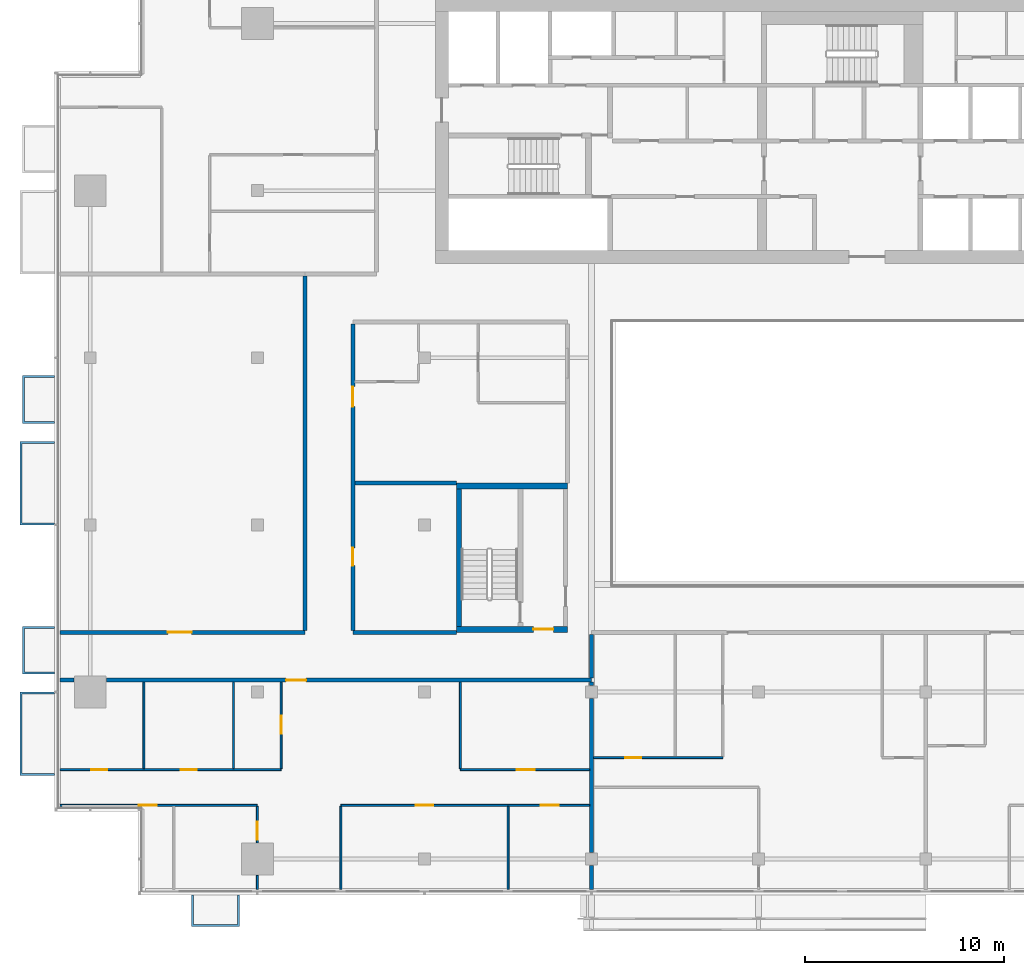
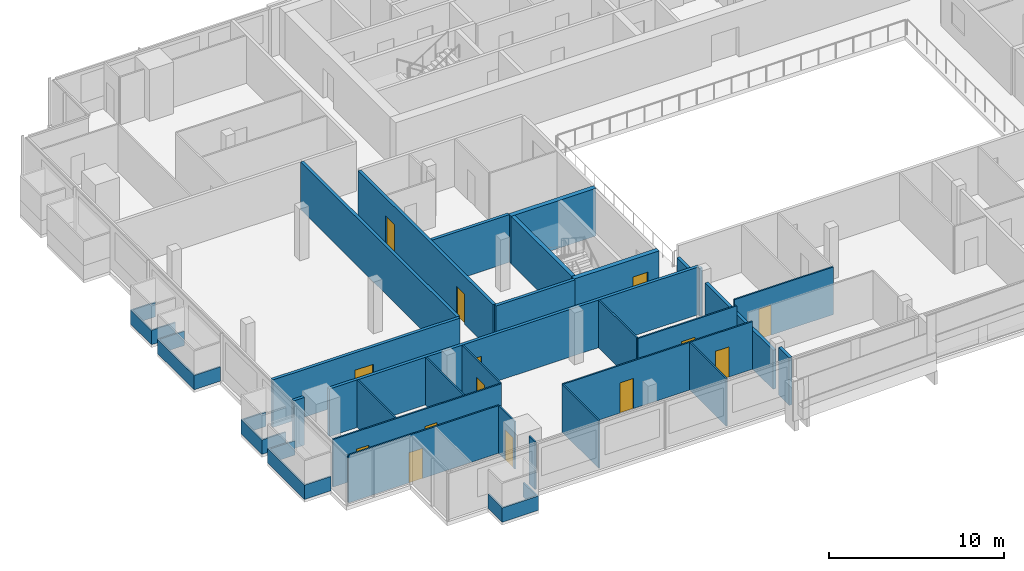
# One storey, part 18 of 27: 32 walls, 14 doors, 14 openings.
"""IFC4 building model written with IfcOpenShell, lengths in metres."""

from ifc_helpers import new_model, si_unit, direction, frame, frame_2d, origin, place, context, subcontext, project, spatial, polyline, rectangle, outline, extrude, material, layer, layer_set, type_object, element, fill, save


model = new_model("IFC4")

# Units and contexts
model_context = context("Model", 3, precision=1e-05, world=origin(), true_north=direction((0.0, 1.0)))
body_context = subcontext(model_context, "Body", "Model", "MODEL_VIEW")
ifc_project = project(units=[si_unit("LENGTHUNIT", "METRE"), si_unit("AREAUNIT", "SQUARE_METRE"), si_unit("VOLUMEUNIT", "CUBIC_METRE"), si_unit("PLANEANGLEUNIT", "RADIAN"), si_unit("MASSUNIT", "GRAM", prefix="KILO")], contexts=[model_context])

# Site, building, storey
site_placement = place(None, origin())
site = spatial("IfcSite", under=ifc_project, at=site_placement, CompositionType="ELEMENT")
building_placement = place(site_placement, origin())
building = spatial("IfcBuilding", under=site, at=building_placement, Name="Saffron Gate Tower", CompositionType="ELEMENT")
storey_placement = place(building_placement, frame((0.0, 0.0, 209.10009765625)))
storey = spatial("IfcBuildingStorey", under=building, at=storey_placement, Name="L50", CompositionType="ELEMENT", Elevation=209.10009765625)

# Wall
ifc_material_1 = material(Name="Concrete C60", Category="concrete")
ifc_layer_1 = layer(ifc_material_1, 0.25)
ifc_layer_set_1 = layer_set([ifc_layer_1], Name="CW14 RC core wall 250 C60")
wall_type_1 = type_object("IfcWallType", Name="CW14 RC core wall 250 C60", PredefinedType="SOLIDWALL", material=ifc_layer_set_1)
wall_1_placement = place(storey_placement, frame((68.324951171875, 43.5, 0.0), z_axis=(0.0, 0.0, 1.0), x_axis=(0.0, 1.0, 0.0)))
element("IfcWall", 1, at=wall_1_placement, inside=storey, type_object=wall_type_1, Name="Wall CW14-L50-D-2", PredefinedType="SOLIDWALL", context=body_context, shape_type="SweptSolid", body=[
    extrude(rectangle(XDim=6.89990234375, YDim=0.25, at=frame_2d((3.449951171875, 0.0))), origin(), (0.0, 0.0, 1.0), 3.31982421875),
])

# Wall, opening, door
ifc_layer_2 = layer(ifc_material_1, 0.300048828125)
ifc_layer_set_2 = layer_set([ifc_layer_2], Name="CW17 RC core wall 300 C60")
wall_type_2 = type_object("IfcWallType", Name="CW17 RC core wall 300 C60", PredefinedType="SOLIDWALL", material=ifc_layer_set_2)
wall_2_placement = place(storey_placement, frame((68.199951171875, 43.35009765625, 0.0), z_axis=(0.0, 0.0, 1.0), x_axis=(1.0, 0.0, 0.0)))
wall_2 = element("IfcWall", 2, at=wall_2_placement, inside=storey, type_object=wall_type_2, Name="Wall CW17-L50-D-1", PredefinedType="SOLIDWALL", context=body_context, shape_type="SweptSolid", body=[
    extrude(rectangle(XDim=5.60009765625, YDim=0.300048828125, at=frame_2d((2.800048828125, 0.0))), origin(), (0.0, 0.0, 1.0), 3.31982421875),
])
opening_1_placement = place(wall_2_placement, frame((3.875, 0.0, 0.0)))
opening_1 = element("IfcOpeningElement", 3, at=opening_1_placement, cuts=wall_2, Name="Opening CR-18", PredefinedType="OPENING", context=body_context, shape_type="SweptSolid", body=[
    extrude(rectangle(XDim=1.0, YDim=2.10009765625, at=frame_2d((0.5, 1.050048828125))), frame((0.0, 0.16015625, 0.0), z_axis=(0.0, -1.0, 0.0), x_axis=(1.0, 0.0, 0.0)), (0.0, 0.0, 1.0), 0.320068359375),
])
ifc_material_2 = material(Name="Steel fire door set", Category="steel")
door_type_1 = type_object("IfcDoorType", Name="CD4 Lobby door 1000x2100 EI 120", OperationType="NOTDEFINED", PredefinedType="DOOR", material=ifc_material_2)
door_1_placement = place(opening_1_placement, origin())
door_1 = element("IfcDoor", 4, at=door_1_placement, inside=storey, type_object=door_type_1, Name="DOOR CR-18", OperationType="SINGLE_SWING_RIGHT", OverallHeight=2.10009765625, OverallWidth=1.0, PredefinedType="DOOR", context=body_context, shape_type="SweptSolid", body=[
    extrude(rectangle(XDim=1.0, YDim=2.10009765625, at=frame_2d((0.5, 1.050048828125))), frame((0.0, 0.02490234375, 0.0), z_axis=(0.0, -1.0, 0.0), x_axis=(1.0, 0.0, 0.0)), (0.0, 0.0, 1.0), 0.050048828125),
])
fill(opening_1, door_1)

# Wall
wall_3_placement = place(storey_placement, frame((68.199951171875, 50.550048828125, 0.0), z_axis=(0.0, 0.0, 1.0), x_axis=(1.0, 0.0, 0.0)))
element("IfcWall", 5, at=wall_3_placement, inside=storey, type_object=wall_type_2, Name="Wall CW17-L50-D-5", PredefinedType="SOLIDWALL", context=body_context, shape_type="SweptSolid", body=[
    extrude(rectangle(XDim=5.60009765625, YDim=0.300048828125, at=frame_2d((2.800048828125, 0.0))), origin(), (0.0, 0.0, 1.0), 3.31982421875),
])

# Wall, opening, door
ifc_material_3 = material(Name="Plasterboard on steel studs", Category="steel")
ifc_layer_3 = layer(ifc_material_3, 0.10009765625)
ifc_layer_set_3 = layer_set([ifc_layer_3], Name="PW1 Partition 100")
wall_type_3 = type_object("IfcWallType", Name="PW1 Partition 100", PredefinedType="PARTITIONING", material=ifc_layer_set_3)
wall_4_placement = place(storey_placement, frame((58.199951171875, 34.5, 0.0), z_axis=(0.0, 0.0, 1.0), x_axis=(-1.0, 0.0, 0.0)))
wall_4 = element("IfcWall", 6, at=wall_4_placement, inside=storey, type_object=wall_type_3, Name="Partition D1-1", PredefinedType="PARTITIONING", context=body_context, shape_type="SweptSolid", body=[
    extrude(rectangle(XDim=9.919921875, YDim=0.10009765625, at=frame_2d((4.9599609375, 0.0))), origin(), (0.0, 0.0, 1.0), 3.31982421875),
])
opening_2_placement = place(wall_4_placement, frame((5.0537109375, 0.0, 0.0)))
opening_2 = element("IfcOpeningElement", 7, at=opening_2_placement, cuts=wall_4, Name="Opening D1-9", PredefinedType="OPENING", context=body_context, shape_type="SweptSolid", body=[
    extrude(rectangle(XDim=0.89990234375, YDim=2.10009765625, at=frame_2d((0.449951171875, 1.050048828125))), frame((0.0, 0.06005859375, 0.0), z_axis=(0.0, -1.0, 0.0), x_axis=(1.0, 0.0, 0.0)), (0.0, 0.0, 1.0), 0.1201171875),
])
ifc_material_4 = material(Name="Timber door set", Category="wood")
door_type_2 = type_object("IfcDoorType", Name="RD1 Room door 900x2100", OperationType="NOTDEFINED", PredefinedType="DOOR", material=ifc_material_4)
door_2_placement = place(opening_2_placement, origin())
door_2 = element("IfcDoor", 8, at=door_2_placement, inside=storey, type_object=door_type_2, Name="Door D1-9", OperationType="SINGLE_SWING_LEFT", OverallHeight=2.10009765625, OverallWidth=0.89990234375, PredefinedType="DOOR", context=body_context, shape_type="SweptSolid", body=[
    extrude(rectangle(XDim=0.89990234375, YDim=2.10009765625, at=frame_2d((0.449951171875, 1.050048828125))), frame((0.0, 0.02490234375, 0.0), z_axis=(0.0, -1.0, 0.0), x_axis=(1.0, 0.0, 0.0)), (0.0, 0.0, 1.0), 0.050048828125),
])
fill(opening_2, door_2)

# Wall, openings, doors
wall_5_placement = place(storey_placement, frame((74.89990234375, 34.5, 0.0), z_axis=(0.0, 0.0, 1.0), x_axis=(-1.0, 0.0, 0.0)))
wall_5 = element("IfcWall", 9, at=wall_5_placement, inside=storey, type_object=wall_type_3, Name="Partition D1-2", PredefinedType="PARTITIONING", context=body_context, shape_type="SweptSolid", body=[
    extrude(rectangle(XDim=12.5, YDim=0.10009765625, at=frame_2d((6.25, 0.0))), origin(), (0.0, 0.0, 1.0), 3.31982421875),
])
opening_3_placement = place(wall_5_placement, frame((1.550048828125, 0.0, 0.0)))
opening_3 = element("IfcOpeningElement", 10, at=opening_3_placement, cuts=wall_5, Name="Opening D1-12", PredefinedType="OPENING", context=body_context, shape_type="SweptSolid", body=[
    extrude(rectangle(XDim=0.89990234375, YDim=2.10009765625, at=frame_2d((0.449951171875, 1.050048828125))), frame((0.0, 0.06005859375, 0.0), z_axis=(0.0, -1.0, 0.0), x_axis=(1.0, 0.0, 0.0)), (0.0, 0.0, 1.0), 0.1201171875),
])
opening_4_placement = place(wall_5_placement, frame((7.85009765625, 0.0, 0.0)))
opening_4 = element("IfcOpeningElement", 11, at=opening_4_placement, cuts=wall_5, Name="Opening D1-11", PredefinedType="OPENING", context=body_context, shape_type="SweptSolid", body=[
    extrude(rectangle(XDim=0.89990234375, YDim=2.10009765625, at=frame_2d((0.449951171875, 1.050048828125))), frame((0.0, 0.06005859375, 0.0), z_axis=(0.0, -1.0, 0.0), x_axis=(1.0, 0.0, 0.0)), (0.0, 0.0, 1.0), 0.1201171875),
])
door_3_placement = place(opening_3_placement, origin())
door_3 = element("IfcDoor", 12, at=door_3_placement, inside=storey, type_object=door_type_2, Name="Door D1-12", OperationType="SINGLE_SWING_LEFT", OverallHeight=2.10009765625, OverallWidth=0.89990234375, PredefinedType="DOOR", context=body_context, shape_type="SweptSolid", body=[
    extrude(rectangle(XDim=0.89990234375, YDim=2.10009765625, at=frame_2d((0.449951171875, 1.050048828125))), frame((0.0, 0.02490234375, 0.0), z_axis=(0.0, -1.0, 0.0), x_axis=(1.0, 0.0, 0.0)), (0.0, 0.0, 1.0), 0.050048828125),
])
fill(opening_3, door_3)
door_4_placement = place(opening_4_placement, origin())
door_4 = element("IfcDoor", 13, at=door_4_placement, inside=storey, type_object=door_type_2, Name="Door D1-11", OperationType="SINGLE_SWING_RIGHT", OverallHeight=2.10009765625, OverallWidth=0.89990234375, PredefinedType="DOOR", context=body_context, shape_type="SweptSolid", body=[
    extrude(rectangle(XDim=0.89990234375, YDim=2.10009765625, at=frame_2d((0.449951171875, 1.050048828125))), frame((0.0, 0.02490234375, 0.0), z_axis=(0.0, -1.0, 0.0), x_axis=(1.0, 0.0, 0.0)), (0.0, 0.0, 1.0), 0.050048828125),
])
fill(opening_4, door_4)

wall_6_placement = place(storey_placement, frame((48.280029296875, 36.300048828125, 0.0), z_axis=(0.0, 0.0, 1.0), x_axis=(1.0, 0.0, 0.0)))
wall_6 = element("IfcWall", 14, at=wall_6_placement, inside=storey, type_object=wall_type_3, Name="Partition D1-5", PredefinedType="PARTITIONING", context=body_context, shape_type="SweptSolid", body=[
    extrude(rectangle(XDim=11.119873046875, YDim=0.10009765625, at=frame_2d((5.56005859375, 0.0))), origin(), (0.0, 0.0, 1.0), 3.31982421875),
])
opening_5_placement = place(wall_6_placement, frame((1.570068359375, 0.0, 0.0)))
opening_5 = element("IfcOpeningElement", 15, at=opening_5_placement, cuts=wall_6, Name="Opening D1-32", PredefinedType="OPENING", context=body_context, shape_type="SweptSolid", body=[
    extrude(rectangle(XDim=0.800048828125, YDim=2.10009765625, at=frame_2d((0.39990234375, 1.050048828125))), frame((0.0, 0.06005859375, 0.0), z_axis=(0.0, -1.0, 0.0), x_axis=(1.0, 0.0, 0.0)), (0.0, 0.0, 1.0), 0.1201171875),
])
opening_6_placement = place(wall_6_placement, frame((6.070068359375, 0.0, 0.0)))
opening_6 = element("IfcOpeningElement", 16, at=opening_6_placement, cuts=wall_6, Name="Opening D1-33", PredefinedType="OPENING", context=body_context, shape_type="SweptSolid", body=[
    extrude(rectangle(XDim=0.800048828125, YDim=2.10009765625, at=frame_2d((0.39990234375, 1.050048828125))), frame((0.0, 0.06005859375, 0.0), z_axis=(0.0, -1.0, 0.0), x_axis=(1.0, 0.0, 0.0)), (0.0, 0.0, 1.0), 0.1201171875),
])
door_type_3 = type_object("IfcDoorType", Name="RD2 Bathroom door 800x2100", OperationType="NOTDEFINED", PredefinedType="DOOR", material=ifc_material_4)
door_5_placement = place(opening_5_placement, origin())
door_5 = element("IfcDoor", 17, at=door_5_placement, inside=storey, type_object=door_type_3, Name="Door D1-32", OperationType="SINGLE_SWING_LEFT", OverallHeight=2.10009765625, OverallWidth=0.800048828125, PredefinedType="DOOR", context=body_context, shape_type="SweptSolid", body=[
    extrude(rectangle(XDim=0.800048828125, YDim=2.10009765625, at=frame_2d((0.39990234375, 1.050048828125))), frame((0.0, 0.02490234375, 0.0), z_axis=(0.0, -1.0, 0.0), x_axis=(1.0, 0.0, 0.0)), (0.0, 0.0, 1.0), 0.050048828125),
])
fill(opening_5, door_5)
door_6_placement = place(opening_6_placement, origin())
door_6 = element("IfcDoor", 18, at=door_6_placement, inside=storey, type_object=door_type_3, Name="Door D1-33", OperationType="SINGLE_SWING_LEFT", OverallHeight=2.10009765625, OverallWidth=0.800048828125, PredefinedType="DOOR", context=body_context, shape_type="SweptSolid", body=[
    extrude(rectangle(XDim=0.800048828125, YDim=2.10009765625, at=frame_2d((0.39990234375, 1.050048828125))), frame((0.0, 0.02490234375, 0.0), z_axis=(0.0, -1.0, 0.0), x_axis=(1.0, 0.0, 0.0)), (0.0, 0.0, 1.0), 0.050048828125),
])
fill(opening_6, door_6)

# Wall, opening, door
wall_7_placement = place(storey_placement, frame((68.39990234375, 36.300048828125, 0.0), z_axis=(0.0, 0.0, 1.0), x_axis=(1.0, 0.0, 0.0)))
wall_7 = element("IfcWall", 19, at=wall_7_placement, inside=storey, type_object=wall_type_3, Name="Partition D1-6", PredefinedType="PARTITIONING", context=body_context, shape_type="SweptSolid", body=[
    extrude(rectangle(XDim=6.5, YDim=0.10009765625, at=frame_2d((3.25, 0.0))), origin(), (0.0, 0.0, 1.0), 3.31982421875),
])
opening_7_placement = place(wall_7_placement, frame((2.85009765625, 0.0, 0.0)))
opening_7 = element("IfcOpeningElement", 20, at=opening_7_placement, cuts=wall_7, Name="Opening D1-13", PredefinedType="OPENING", context=body_context, shape_type="SweptSolid", body=[
    extrude(rectangle(XDim=0.89990234375, YDim=2.10009765625, at=frame_2d((0.449951171875, 1.050048828125))), frame((0.0, 0.06005859375, 0.0), z_axis=(0.0, -1.0, 0.0), x_axis=(1.0, 0.0, 0.0)), (0.0, 0.0, 1.0), 0.1201171875),
])
door_7_placement = place(opening_7_placement, origin())
door_7 = element("IfcDoor", 21, at=door_7_placement, inside=storey, type_object=door_type_2, Name="Door D1-13", OperationType="SINGLE_SWING_RIGHT", OverallHeight=2.10009765625, OverallWidth=0.89990234375, PredefinedType="DOOR", context=body_context, shape_type="SweptSolid", body=[
    extrude(rectangle(XDim=0.89990234375, YDim=2.10009765625, at=frame_2d((0.449951171875, 1.050048828125))), frame((0.0, 0.02490234375, 0.0), z_axis=(0.0, -1.0, 0.0), x_axis=(1.0, 0.0, 0.0)), (0.0, 0.0, 1.0), 0.050048828125),
])
fill(opening_7, door_7)

wall_8_placement = place(storey_placement, frame((75.10009765625, 36.89990234375, 0.0), z_axis=(0.0, 0.0, 1.0), x_axis=(1.0, 0.0, 0.0)))
wall_8 = element("IfcWall", 22, at=wall_8_placement, inside=storey, type_object=wall_type_3, Name="Partition D1-9", PredefinedType="PARTITIONING", context=body_context, shape_type="SweptSolid", body=[
    extrude(rectangle(XDim=6.5, YDim=0.10009765625, at=frame_2d((3.25, 0.0))), origin(), (0.0, 0.0, 1.0), 3.31982421875),
])
opening_8_placement = place(wall_8_placement, frame((1.603271484375, 0.0, 0.0)))
opening_8 = element("IfcOpeningElement", 23, at=opening_8_placement, cuts=wall_8, Name="Opening D1-34", PredefinedType="OPENING", context=body_context, shape_type="SweptSolid", body=[
    extrude(rectangle(XDim=0.800048828125, YDim=2.10009765625, at=frame_2d((0.39990234375, 1.050048828125))), frame((0.0, 0.06005859375, 0.0), z_axis=(0.0, -1.0, 0.0), x_axis=(1.0, 0.0, 0.0)), (0.0, 0.0, 1.0), 0.1201171875),
])
door_8_placement = place(opening_8_placement, origin())
door_8 = element("IfcDoor", 24, at=door_8_placement, inside=storey, type_object=door_type_3, Name="Door D1-34", OperationType="SINGLE_SWING_LEFT", OverallHeight=2.10009765625, OverallWidth=0.800048828125, PredefinedType="DOOR", context=body_context, shape_type="SweptSolid", body=[
    extrude(rectangle(XDim=0.800048828125, YDim=2.10009765625, at=frame_2d((0.39990234375, 1.050048828125))), frame((0.0, 0.02490234375, 0.0), z_axis=(0.0, -1.0, 0.0), x_axis=(1.0, 0.0, 0.0)), (0.0, 0.0, 1.0), 0.050048828125),
])
fill(opening_8, door_8)

# Walls
for number, where, z_axis, x_axis, name in (
    (25, (52.5, 40.699951171875, 0.0), (0.0, 0.0, 1.0), (0.0, -1.0, 0.0), "Partition D1-45"),
    (26, (57.0, 40.699951171875, 0.0), (0.0, 0.0, 1.0), (0.0, -1.0, 0.0), "Partition D1-50"),
):
    element("IfcWall", number, at=place(storey_placement, frame(where, z_axis=z_axis, x_axis=x_axis)), inside=storey, type_object=wall_type_3, Name=name, PredefinedType="PARTITIONING", context=body_context, shape_type="SweptSolid", body=[
        extrude(rectangle(XDim=4.349853515625, YDim=0.10009765625, at=frame_2d((2.1748046875, 0.0))), origin(), (0.0, 0.0, 1.0), 3.31982421875),
    ])
wall_9_placement = place(storey_placement, frame((58.199951171875, 30.97998046875, 0.0), z_axis=(0.0, 0.0, 1.0), x_axis=(0.0, -1.0, 0.0)))
element("IfcWall", 27, at=wall_9_placement, inside=storey, type_object=wall_type_3, Name="Partition D1-51", PredefinedType="PARTITIONING", context=body_context, shape_type="SweptSolid", body=[
    extrude(rectangle(XDim=0.699951171875, YDim=0.10009765625, at=frame_2d((0.35009765625, 0.0))), origin(), (0.0, 0.0, 1.0), 3.31982421875),
])

# Wall, opening, door
wall_10_placement = place(storey_placement, frame((58.199951171875, 32.6201171875, 0.0), z_axis=(0.0, 0.0, 1.0), x_axis=(0.0, 1.0, 0.0)))
wall_10 = element("IfcWall", 28, at=wall_10_placement, inside=storey, type_object=wall_type_3, Name="Partition D1-52", PredefinedType="PARTITIONING", context=body_context, shape_type="SweptSolid", body=[
    extrude(rectangle(XDim=1.829833984375, YDim=0.10009765625, at=frame_2d((0.9150390625, 0.0))), origin(), (0.0, 0.0, 1.0), 3.31982421875),
])
opening_9_placement = place(wall_10_placement, frame((0.14990234375, 0.0, 0.0)))
opening_9 = element("IfcOpeningElement", 29, at=opening_9_placement, cuts=wall_10, Name="Opening D1-10", PredefinedType="OPENING", context=body_context, shape_type="SweptSolid", body=[
    extrude(rectangle(XDim=0.89990234375, YDim=2.10009765625, at=frame_2d((0.449951171875, 1.050048828125))), frame((0.0, 0.06005859375, 0.0), z_axis=(0.0, -1.0, 0.0), x_axis=(1.0, 0.0, 0.0)), (0.0, 0.0, 1.0), 0.1201171875),
])
door_9_placement = place(opening_9_placement, origin())
door_9 = element("IfcDoor", 30, at=door_9_placement, inside=storey, type_object=door_type_2, Name="Door D1-10", OperationType="SINGLE_SWING_LEFT", OverallHeight=2.10009765625, OverallWidth=0.89990234375, PredefinedType="DOOR", context=body_context, shape_type="SweptSolid", body=[
    extrude(rectangle(XDim=0.89990234375, YDim=2.10009765625, at=frame_2d((0.449951171875, 1.050048828125))), frame((0.0, 0.02490234375, 0.0), z_axis=(0.0, -1.0, 0.0), x_axis=(1.0, 0.0, 0.0)), (0.0, 0.0, 1.0), 0.050048828125),
])
fill(opening_9, door_9)

wall_11_placement = place(storey_placement, frame((59.39990234375, 36.35009765625, 0.0), z_axis=(0.0, 0.0, 1.0), x_axis=(0.0, 1.0, 0.0)))
wall_11 = element("IfcWall", 31, at=wall_11_placement, inside=storey, type_object=wall_type_3, Name="Partition D1-53", PredefinedType="PARTITIONING", context=body_context, shape_type="SweptSolid", body=[
    extrude(rectangle(XDim=4.349853515625, YDim=0.10009765625, at=frame_2d((2.1748046875, 0.0))), origin(), (0.0, 0.0, 1.0), 3.31982421875),
])
opening_10_placement = place(wall_11_placement, frame((1.75, 0.0, 0.0)))
opening_10 = element("IfcOpeningElement", 32, at=opening_10_placement, cuts=wall_11, Name="Opening D1-14", PredefinedType="OPENING", context=body_context, shape_type="SweptSolid", body=[
    extrude(rectangle(XDim=0.89990234375, YDim=2.10009765625, at=frame_2d((0.449951171875, 1.050048828125))), frame((0.0, 0.06005859375, 0.0), z_axis=(0.0, -1.0, 0.0), x_axis=(1.0, 0.0, 0.0)), (0.0, 0.0, 1.0), 0.1201171875),
])
door_10_placement = place(opening_10_placement, origin())
door_10 = element("IfcDoor", 33, at=door_10_placement, inside=storey, type_object=door_type_2, Name="Door D1-14", OperationType="SINGLE_SWING_RIGHT", OverallHeight=2.10009765625, OverallWidth=0.89990234375, PredefinedType="DOOR", context=body_context, shape_type="SweptSolid", body=[
    extrude(rectangle(XDim=0.89990234375, YDim=2.10009765625, at=frame_2d((0.449951171875, 1.050048828125))), frame((0.0, 0.02490234375, 0.0), z_axis=(0.0, -1.0, 0.0), x_axis=(1.0, 0.0, 0.0)), (0.0, 0.0, 1.0), 0.050048828125),
])
fill(opening_10, door_10)

# Walls
wall_12_placement = place(storey_placement, frame((62.39990234375, 34.449951171875, 0.0), z_axis=(0.0, 0.0, 1.0), x_axis=(0.0, -1.0, 0.0)))
element("IfcWall", 34, at=wall_12_placement, inside=storey, type_object=wall_type_3, Name="Partition D1-55", PredefinedType="PARTITIONING", context=body_context, shape_type="SweptSolid", body=[
    extrude(rectangle(XDim=4.169921875, YDim=0.10009765625, at=frame_2d((2.0849609375, 0.0))), origin(), (0.0, 0.0, 1.0), 3.31982421875),
])
wall_13_placement = place(storey_placement, frame((68.39990234375, 40.699951171875, 0.0), z_axis=(0.0, 0.0, 1.0), x_axis=(0.0, -1.0, 0.0)))
element("IfcWall", 35, at=wall_13_placement, inside=storey, type_object=wall_type_3, Name="Partition D1-60", PredefinedType="PARTITIONING", context=body_context, shape_type="SweptSolid", body=[
    extrude(rectangle(XDim=4.349853515625, YDim=0.10009765625, at=frame_2d((2.1748046875, 0.0))), origin(), (0.0, 0.0, 1.0), 3.31982421875),
])
wall_14_placement = place(storey_placement, frame((70.800048828125, 34.449951171875, 0.0), z_axis=(0.0, 0.0, 1.0), x_axis=(0.0, -1.0, 0.0)))
element("IfcWall", 36, at=wall_14_placement, inside=storey, type_object=wall_type_3, Name="Partition D1-62", PredefinedType="PARTITIONING", context=body_context, shape_type="SweptSolid", body=[
    extrude(rectangle(XDim=4.169921875, YDim=0.10009765625, at=frame_2d((2.0849609375, 0.0))), origin(), (0.0, 0.0, 1.0), 3.31982421875),
])
ifc_material_5 = material(Name="Clay brick masonry, rendered", Category="masonry")
ifc_layer_4 = layer(ifc_material_5, 0.199951171875)
ifc_layer_set_4 = layer_set([ifc_layer_4], Name="PW2 Demising wall 200")
wall_type_4 = type_object("IfcWallType", Name="PW2 Demising wall 200", PredefinedType="PARTITIONING", material=ifc_layer_set_4)
wall_15_placement = place(storey_placement, frame((63.10009765625, 50.699951171875, 0.0), z_axis=(0.0, 0.0, 1.0), x_axis=(1.0, 0.0, 0.0)))
element("IfcWall", 37, at=wall_15_placement, inside=storey, type_object=wall_type_4, Name="Wall D1-21", PredefinedType="PARTITIONING", context=body_context, shape_type="SweptSolid", body=[
    extrude(rectangle(XDim=5.099853515625, YDim=0.199951171875, at=frame_2d((2.5498046875, 0.0))), origin(), (0.0, 0.0, 1.0), 3.31982421875),
])
wall_16_placement = place(storey_placement, frame((75.0, 31.47998046875, 0.0), z_axis=(0.0, 0.0, 1.0), x_axis=(0.0, -1.0, 0.0)))
element("IfcWall", 38, at=wall_16_placement, inside=storey, type_object=wall_type_4, Name="Wall D1-65", PredefinedType="PARTITIONING", context=body_context, shape_type="SweptSolid", body=[
    extrude(rectangle(XDim=1.199951171875, YDim=0.199951171875, at=frame_2d((0.60009765625, 0.0))), origin(), (0.0, 0.0, 1.0), 3.31982421875),
])
wall_17_placement = place(storey_placement, frame((75.0, 39.8798828125, 0.0), z_axis=(0.0, 0.0, 1.0), x_axis=(0.0, -1.0, 0.0)))
element("IfcWall", 39, at=wall_17_placement, inside=storey, type_object=wall_type_4, Name="Wall D1-66", PredefinedType="PARTITIONING", context=body_context, shape_type="SweptSolid", body=[
    extrude(rectangle(XDim=7.759765625, YDim=0.199951171875, at=frame_2d((3.8798828125, 0.0))), origin(), (0.0, 0.0, 1.0), 2.719970703125),
])
wall_18_placement = place(storey_placement, frame((75.0, 40.699951171875, 0.0), z_axis=(0.0, 0.0, 1.0), x_axis=(0.0, -1.0, 0.0)))
element("IfcWall", 40, at=wall_18_placement, inside=storey, type_object=wall_type_4, Name="Wall D1-67", PredefinedType="PARTITIONING", context=body_context, shape_type="SweptSolid", body=[
    extrude(rectangle(XDim=0.179931640625, YDim=0.199951171875, at=frame_2d((0.08984375, 0.0))), origin(), (0.0, 0.0, 1.0), 3.31982421875),
])
ifc_layer_5 = layer(ifc_material_5, 0.199951171875)
ifc_layer_set_5 = layer_set([ifc_layer_5], Name="PW3 Corridor wall 200")
wall_type_5 = type_object("IfcWallType", Name="PW3 Corridor wall 200", PredefinedType="PARTITIONING", material=ifc_layer_set_5)
wall_19_placement = place(storey_placement, frame((48.280029296875, 40.800048828125, 0.0), z_axis=(0.0, 0.0, 1.0), x_axis=(1.0, 0.0, 0.0)))
element("IfcWall", 41, at=wall_19_placement, inside=storey, type_object=wall_type_5, Name="Wall D1-12", PredefinedType="PARTITIONING", context=body_context, shape_type="SweptSolid", body=[
    extrude(rectangle(XDim=0.699951171875, YDim=0.199951171875, at=frame_2d((0.35009765625, 0.0))), origin(), (0.0, 0.0, 1.0), 3.31982421875),
])

# Wall, opening, door
wall_20_placement = place(storey_placement, frame((75.0, 40.800048828125, 0.0), z_axis=(0.0, 0.0, 1.0), x_axis=(-1.0, 0.0, 0.0)))
wall_20 = element("IfcWall", 42, at=wall_20_placement, inside=storey, type_object=wall_type_5, Name="Wall D1-13", PredefinedType="PARTITIONING", context=body_context, shape_type="SweptSolid", body=[
    extrude(rectangle(XDim=24.3798828125, YDim=0.199951171875, at=frame_2d((12.18994140625, 0.0))), origin(), (0.0, 0.0, 1.0), 3.31982421875),
])
opening_11_placement = place(wall_20_placement, frame((14.35009765625, 0.0, 0.0)))
opening_11 = element("IfcOpeningElement", 43, at=opening_11_placement, cuts=wall_20, Name="Opening D1-1", PredefinedType="OPENING", context=body_context, shape_type="SweptSolid", body=[
    extrude(rectangle(XDim=1.0, YDim=2.10009765625, at=frame_2d((0.5, 1.050048828125))), frame((0.0, 0.10986328125, 0.0), z_axis=(0.0, -1.0, 0.0), x_axis=(1.0, 0.0, 0.0)), (0.0, 0.0, 1.0), 0.219970703125),
])
ifc_material_6 = material(Name="Timber fire door set", Category="wood")
door_type_4 = type_object("IfcDoorType", Name="FD1 Flat entry door 1000x2100", OperationType="NOTDEFINED", PredefinedType="DOOR", material=ifc_material_6)
door_11_placement = place(opening_11_placement, origin())
door_11 = element("IfcDoor", 44, at=door_11_placement, inside=storey, type_object=door_type_4, Name="Door D1-1", OperationType="SINGLE_SWING_LEFT", OverallHeight=2.10009765625, OverallWidth=1.0, PredefinedType="DOOR", context=body_context, shape_type="SweptSolid", body=[
    extrude(rectangle(XDim=1.0, YDim=2.10009765625, at=frame_2d((0.5, 1.050048828125))), frame((0.0, 0.02490234375, 0.0), z_axis=(0.0, -1.0, 0.0), x_axis=(1.0, 0.0, 0.0)), (0.0, 0.0, 1.0), 0.050048828125),
])
fill(opening_11, door_11)

wall_21_placement = place(storey_placement, frame((48.280029296875, 43.199951171875, 0.0), z_axis=(0.0, 0.0, 1.0), x_axis=(1.0, 0.0, 0.0)))
wall_21 = element("IfcWall", 45, at=wall_21_placement, inside=storey, type_object=wall_type_5, Name="Wall D1-16", PredefinedType="PARTITIONING", context=body_context, shape_type="SweptSolid", body=[
    extrude(rectangle(XDim=12.320068359375, YDim=0.199951171875, at=frame_2d((6.16015625, 0.0))), origin(), (0.0, 0.0, 1.0), 3.31982421875),
])
opening_12_placement = place(wall_21_placement, frame((5.419921875, 0.0, 0.0)))
opening_12 = element("IfcOpeningElement", 46, at=opening_12_placement, cuts=wall_21, Name="Opening D1-45", PredefinedType="OPENING", context=body_context, shape_type="SweptSolid", body=[
    extrude(rectangle(XDim=1.199951171875, YDim=2.10009765625, at=frame_2d((0.60009765625, 1.050048828125))), frame((0.0, 0.10986328125, 0.0), z_axis=(0.0, -1.0, 0.0), x_axis=(1.0, 0.0, 0.0)), (0.0, 0.0, 1.0), 0.219970703125),
])
door_type_5 = type_object("IfcDoorType", Name="HD1 Hall door 1200x2100", OperationType="NOTDEFINED", PredefinedType="DOOR", material=ifc_material_4)
door_12_placement = place(opening_12_placement, origin())
door_12 = element("IfcDoor", 47, at=door_12_placement, inside=storey, type_object=door_type_5, Name="Door D1-45", OperationType="SINGLE_SWING_LEFT", OverallHeight=2.10009765625, OverallWidth=1.199951171875, PredefinedType="DOOR", context=body_context, shape_type="SweptSolid", body=[
    extrude(rectangle(XDim=1.199951171875, YDim=2.10009765625, at=frame_2d((0.60009765625, 1.050048828125))), frame((0.0, 0.02490234375, 0.0), z_axis=(0.0, -1.0, 0.0), x_axis=(1.0, 0.0, 0.0)), (0.0, 0.0, 1.0), 0.050048828125),
])
fill(opening_12, door_12)

# Walls
wall_22_placement = place(storey_placement, frame((63.0, 43.199951171875, 0.0), z_axis=(0.0, 0.0, 1.0), x_axis=(1.0, 0.0, 0.0)))
element("IfcWall", 48, at=wall_22_placement, inside=storey, type_object=wall_type_5, Name="Wall D1-17", PredefinedType="PARTITIONING", context=body_context, shape_type="SweptSolid", body=[
    extrude(rectangle(XDim=5.199951171875, YDim=0.199951171875, at=frame_2d((2.60009765625, 0.0))), origin(), (0.0, 0.0, 1.0), 3.31982421875),
])
wall_23_placement = place(storey_placement, frame((60.60009765625, 61.10009765625, 0.0), z_axis=(0.0, 0.0, 1.0), x_axis=(0.0, -1.0, 0.0)))
element("IfcWall", 49, at=wall_23_placement, inside=storey, type_object=wall_type_5, Name="Wall D1-54", PredefinedType="PARTITIONING", context=body_context, shape_type="SweptSolid", body=[
    extrude(rectangle(XDim=17.800048828125, YDim=0.199951171875, at=frame_2d((8.89990234375, 0.0))), origin(), (0.0, 0.0, 1.0), 3.31982421875),
])

# Wall, openings, doors
wall_24_placement = place(storey_placement, frame((63.0, 58.699951171875, 0.0), z_axis=(0.0, 0.0, 1.0), x_axis=(0.0, -1.0, 0.0)))
wall_24 = element("IfcWall", 50, at=wall_24_placement, inside=storey, type_object=wall_type_5, Name="Wall D1-56", PredefinedType="PARTITIONING", context=body_context, shape_type="SweptSolid", body=[
    extrude(rectangle(XDim=15.39990234375, YDim=0.199951171875, at=frame_2d((7.699951171875, 0.0))), origin(), (0.0, 0.0, 1.0), 3.31982421875),
])
opening_13_placement = place(wall_24_placement, frame((3.14990234375, 0.0, 0.0)))
opening_13 = element("IfcOpeningElement", 51, at=opening_13_placement, cuts=wall_24, Name="Opening D1-7", PredefinedType="OPENING", context=body_context, shape_type="SweptSolid", body=[
    extrude(rectangle(XDim=1.0, YDim=2.10009765625, at=frame_2d((0.5, 1.050048828125))), frame((0.0, 0.10986328125, 0.0), z_axis=(0.0, -1.0, 0.0), x_axis=(1.0, 0.0, 0.0)), (0.0, 0.0, 1.0), 0.219970703125),
])
opening_14_placement = place(wall_24_placement, frame((11.25, 0.0, 0.0)))
opening_14 = element("IfcOpeningElement", 52, at=opening_14_placement, cuts=wall_24, Name="Opening D1-43", PredefinedType="OPENING", context=body_context, shape_type="SweptSolid", body=[
    extrude(rectangle(XDim=0.89990234375, YDim=2.10009765625, at=frame_2d((0.449951171875, 1.050048828125))), frame((0.0, 0.10986328125, 0.0), z_axis=(0.0, -1.0, 0.0), x_axis=(1.0, 0.0, 0.0)), (0.0, 0.0, 1.0), 0.219970703125),
])
door_13_placement = place(opening_13_placement, origin())
door_13 = element("IfcDoor", 53, at=door_13_placement, inside=storey, type_object=door_type_4, Name="Door D1-7", OperationType="SINGLE_SWING_LEFT", OverallHeight=2.10009765625, OverallWidth=1.0, PredefinedType="DOOR", context=body_context, shape_type="SweptSolid", body=[
    extrude(rectangle(XDim=1.0, YDim=2.10009765625, at=frame_2d((0.5, 1.050048828125))), frame((0.0, 0.02490234375, 0.0), z_axis=(0.0, -1.0, 0.0), x_axis=(1.0, 0.0, 0.0)), (0.0, 0.0, 1.0), 0.050048828125),
])
fill(opening_13, door_13)
door_type_6 = type_object("IfcDoorType", Name="SD1 Service door 900x2100", OperationType="NOTDEFINED", PredefinedType="DOOR", material=ifc_material_2)
door_14_placement = place(opening_14_placement, origin())
door_14 = element("IfcDoor", 54, at=door_14_placement, inside=storey, type_object=door_type_6, Name="Door D1-43", OperationType="SINGLE_SWING_RIGHT", OverallHeight=2.10009765625, OverallWidth=0.89990234375, PredefinedType="DOOR", context=body_context, shape_type="SweptSolid", body=[
    extrude(rectangle(XDim=0.89990234375, YDim=2.10009765625, at=frame_2d((0.449951171875, 1.050048828125))), frame((0.0, 0.02490234375, 0.0), z_axis=(0.0, -1.0, 0.0), x_axis=(1.0, 0.0, 0.0)), (0.0, 0.0, 1.0), 0.050048828125),
])
fill(opening_14, door_14)

# Walls
wall_25_placement = place(storey_placement, frame((75.0, 43.10009765625, 0.0), z_axis=(0.0, 0.0, 1.0), x_axis=(0.0, -1.0, 0.0)))
element("IfcWall", 55, at=wall_25_placement, inside=storey, type_object=wall_type_5, Name="Wall D1-64", PredefinedType="PARTITIONING", context=body_context, shape_type="SweptSolid", body=[
    extrude(rectangle(XDim=2.2001953125, YDim=0.199951171875, at=frame_2d((1.10009765625, 0.0))), origin(), (0.0, 0.0, 1.0), 2.52978515625),
])
ifc_material_7 = material(Name="Rendered insulated panel, white")
ifc_layer_6 = layer(ifc_material_7, 0.10009765625)
ifc_layer_set_6 = layer_set([ifc_layer_6], Name="WB3 box parapet white")
wall_type_6 = type_object("IfcWallType", Name="WB3 box parapet white", PredefinedType="SOLIDWALL", material=ifc_layer_set_6)
wall_26_placement = place(storey_placement, origin())
element("IfcWall", 56, at=wall_26_placement, inside=storey, type_object=wall_type_6, Name="WINDOW BOX parapet", PredefinedType="SOLIDWALL", context=body_context, shape_type="SweptSolid", body=[
    extrude(outline(polyline([(54.89990234375, 30.0), (55.0, 30.0), (55.0, 28.5), (57.199951171875, 28.5), (57.199951171875, 30.0), (57.300048828125, 30.0), (57.300048828125, 28.39990234375), (54.89990234375, 28.39990234375), (54.89990234375, 30.0)])), origin(), (0.0, 0.0, 1.0), 1.0),
])
wall_27_placement = place(storey_placement, origin())
element("IfcWall", 57, at=wall_27_placement, inside=storey, type_object=wall_type_6, Name="WINDOW BOX parapet", PredefinedType="SOLIDWALL", context=body_context, shape_type="SweptSolid", body=[
    extrude(outline(polyline([(48.0, 56.10009765625), (48.0, 56.0), (46.5, 56.0), (46.5, 53.800048828125), (48.0, 53.800048828125), (48.0, 53.699951171875), (46.39990234375, 53.699951171875), (46.39990234375, 56.10009765625), (48.0, 56.10009765625)])), origin(), (0.0, 0.0, 1.0), 1.0),
])
wall_28_placement = place(storey_placement, origin())
element("IfcWall", 58, at=wall_28_placement, inside=storey, type_object=wall_type_6, Name="WINDOW BOX parapet", PredefinedType="SOLIDWALL", context=body_context, shape_type="SweptSolid", body=[
    extrude(outline(polyline([(48.0, 52.800048828125), (48.0, 52.699951171875), (46.366943359375, 52.699951171875), (46.366943359375, 48.699951171875), (48.0, 48.699951171875), (48.0, 48.60009765625), (46.26708984375, 48.60009765625), (46.26708984375, 52.800048828125), (48.0, 52.800048828125)])), origin(), (0.0, 0.0, 1.0), 1.0),
])
wall_29_placement = place(storey_placement, origin())
element("IfcWall", 59, at=wall_29_placement, inside=storey, type_object=wall_type_6, Name="WINDOW BOX parapet", PredefinedType="SOLIDWALL", context=body_context, shape_type="SweptSolid", body=[
    extrude(outline(polyline([(48.0, 43.5), (48.0, 43.39990234375), (46.5, 43.39990234375), (46.5, 41.199951171875), (48.0, 41.199951171875), (48.0, 41.10009765625), (46.39990234375, 41.10009765625), (46.39990234375, 43.5), (48.0, 43.5)])), origin(), (0.0, 0.0, 1.0), 1.0),
])
wall_30_placement = place(storey_placement, origin())
element("IfcWall", 60, at=wall_30_placement, inside=storey, type_object=wall_type_6, Name="WINDOW BOX parapet", PredefinedType="SOLIDWALL", context=body_context, shape_type="SweptSolid", body=[
    extrude(outline(polyline([(48.0, 40.199951171875), (48.0, 40.10009765625), (46.366943359375, 40.10009765625), (46.366943359375, 36.10009765625), (48.0, 36.10009765625), (48.0, 36.0), (46.26708984375, 36.0), (46.26708984375, 40.199951171875), (48.0, 40.199951171875)])), origin(), (0.0, 0.0, 1.0), 1.0),
])

save(model, "model.ifc")
